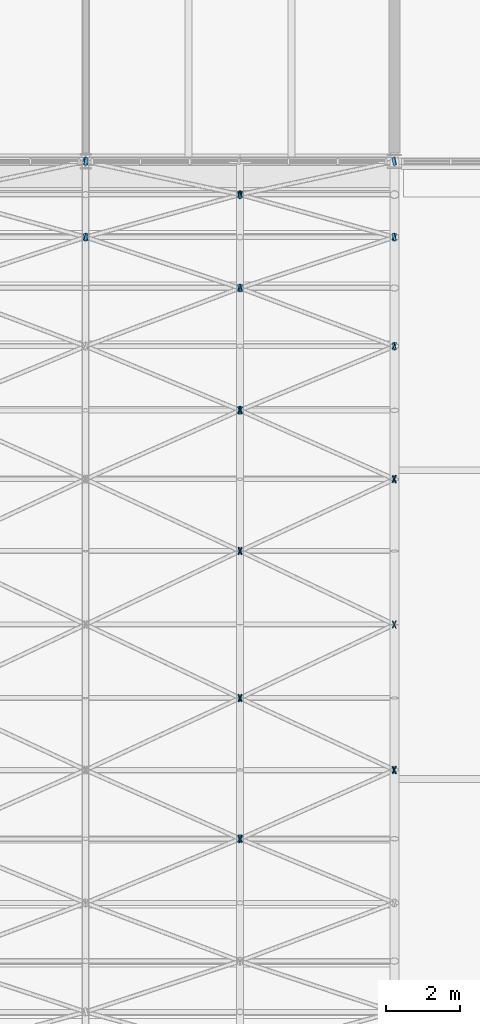
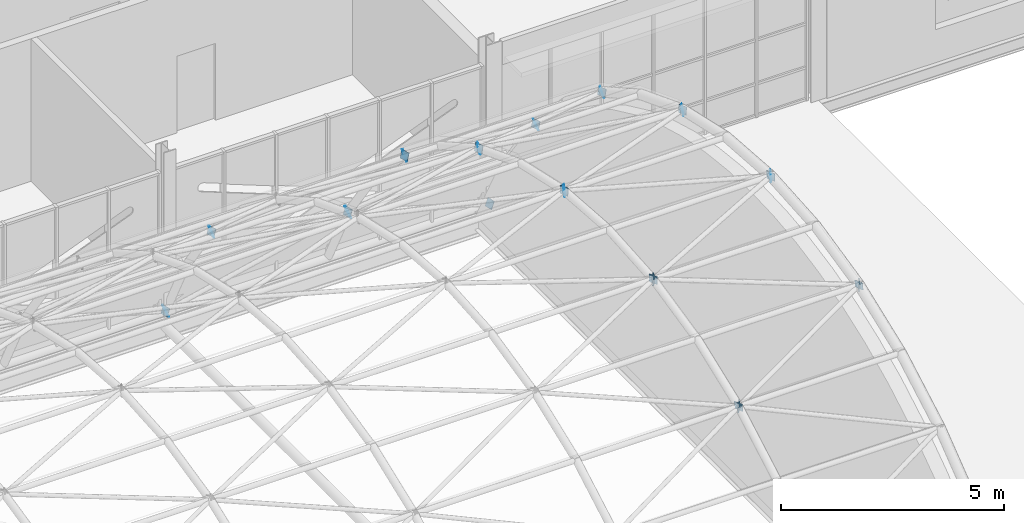
# One storey, part 116 of 121: 41 discrete accessories.
"""IFC4 building model written with IfcOpenShell, lengths in metres."""

from ifc_helpers import new_model, si_unit, direction, frame, origin, origin_2d, place, context, subcontext, project, spatial, rectangle, extrude, material, material_profile, profile_set, type_object, element, save


model = new_model("IFC4")

# Units and contexts
model_context = context("Model", 3, precision=1e-05, world=origin(), true_north=direction((0.0, 1.0)))
body_context = subcontext(model_context, "Body", "Model", "MODEL_VIEW")
ifc_project = project(units=[si_unit("LENGTHUNIT", "METRE"), si_unit("AREAUNIT", "SQUARE_METRE"), si_unit("VOLUMEUNIT", "CUBIC_METRE"), si_unit("PLANEANGLEUNIT", "RADIAN"), si_unit("MASSUNIT", "GRAM", prefix="KILO")], contexts=[model_context])

# Site, building, storey
site_placement = place(None, origin())
site = spatial("IfcSite", under=ifc_project, at=site_placement, CompositionType="ELEMENT")
building_placement = place(site_placement, origin())
building = spatial("IfcBuilding", under=site, at=building_placement, Name="Ardhachandra Cancer Care Centre", CompositionType="ELEMENT")
storey_placement = place(building_placement, frame((0.0, 0.0, 9.0)))
storey = spatial("IfcBuildingStorey", under=building, at=storey_placement, Name="L02", CompositionType="ELEMENT", Elevation=9.0)

# Discrete accessories
ifc_material = material(Name="Steel E250 (IS 2062)", Category="steel")
ifc_material_profile = material_profile(ifc_material, rectangle(XDim=0.21435546875, YDim=0.21435546875, at=origin_2d()), Name="PL 214x214x12")
ifc_profile_set = profile_set([ifc_material_profile], Name="Steel E250 (IS 2062)")
discrete_accessory_type = type_object("IfcDiscreteAccessoryType", Name="Diagonal end plate 214 x 214 x 12", PredefinedType="BRACKET", material=ifc_profile_set)
for number, where, z_axis, x_axis, name in (
    (1, (103.199951171875, 77.738037109375, 3.426025390625), (-0.900777348936, -0.307083187137, 0.307083187137), (0.322673927788, -0.946510188179, 0.0), "Diagonal end plate Hall shell diagonal 13-13 2"),
    (2, (103.199951171875, 77.738037109375, 3.426025390625), (-0.904003571195, 0.246546428508, -0.349274107053), (-0.263117405792, -0.964763821238, 0.0), "Diagonal end plate Hall shell diagonal 14-14 1"),
    (3, (103.199951171875, 79.800048828125, 0.0), (-0.898708107226, -0.204251842551, 0.388078500848), (0.221621103589, -0.975132855791, 0.0), "Diagonal end plate Hall shell diagonal 13-15 2"),
    (4, (107.39990234375, 61.37353515625, 7.093994140625), (-0.905725666552, -0.370524136317, -0.205846742398), (0.378632845721, -0.925546956206, 0.0), "Diagonal end plate Hall shell diagonal 14-04 2"),
    (5, (107.39990234375, 61.37353515625, 7.093994140625), (-0.89814623902, 0.408248290464, 0.163299316186), (-0.413802944301, -0.910366477463, 0.0), "Diagonal end plate Hall shell diagonal 15-05 1"),
    (6, (107.39990234375, 65.20068359375, 8.252685546875), (-0.899458907781, -0.429287205986, -0.081768991616), (0.430729586215, -0.902481037784, 0.0), "Diagonal end plate Hall shell diagonal 14-06 2"),
    (7, (107.39990234375, 65.20068359375, 8.252685546875), (-0.901722650223, 0.430367628516, 0.040987393192), (-0.430729586215, -0.902481037784, 0.0), "Diagonal end plate Hall shell diagonal 15-07 1"),
    (8, (107.39990234375, 69.19921875, 8.252685546875), (-0.901722650223, -0.430367628516, 0.040987393192), (0.430729586215, -0.902481037784, 0.0), "Diagonal end plate Hall shell diagonal 14-08 2"),
    (9, (107.39990234375, 69.19921875, 8.252685546875), (-0.899458907781, 0.429287205986, -0.081768991616), (-0.430729586215, -0.902481037784, 0.0), "Diagonal end plate Hall shell diagonal 15-09 1"),
    (10, (107.39990234375, 73.0263671875, 7.093994140625), (-0.905533836482, -0.391025974844, 0.164642515724), (0.3964360163, -0.918062353536, 0.0), "Diagonal end plate Hall shell diagonal 14-10 2"),
    (11, (107.39990234375, 73.0263671875, 7.093994140625), (-0.898708107226, 0.388078500848, -0.204251842551), (-0.3964360163, -0.918062353536, 0.0), "Diagonal end plate Hall shell diagonal 15-11 1"),
    (12, (107.39990234375, 76.353515625, 4.8759765625), (-0.899271031245, -0.347445625708, 0.265693713777), (0.360399279202, -0.932798134406, 0.0), "Diagonal end plate Hall shell diagonal 14-12 2"),
    (13, (107.39990234375, 76.353515625, 4.8759765625), (-0.900777348936, 0.307083187137, -0.307083187137), (-0.322673927788, -0.946510188179, 0.0), "Diagonal end plate Hall shell diagonal 15-13 1"),
):
    element("IfcDiscreteAccessory", number, at=place(storey_placement, frame(where, z_axis=z_axis, x_axis=x_axis)), inside=storey, type_object=discrete_accessory_type, Name=name, PredefinedType="BRACKET", context=body_context, shape_type="SweptSolid", body=[
        extrude(rectangle(XDim=0.21435546875, YDim=0.21435546875, at=origin_2d()), origin(), (0.0, 0.0, 1.0), 0.011962890625),
    ])
for number, where, z_axis, x_axis, name in (
    (14, (103.199951171875, 77.738037109375, 3.426025390625), (0.904534033733, -0.301511344578, 0.301511344578), (0.316227766017, 0.948683298051, 0.0), "Diagonal end plate Hall shell diagonal 15-13 2"),
    (15, (103.199951171875, 77.738037109375, 3.426025390625), (0.907656609489, 0.24204176253, -0.342892496918), (-0.25766265056, 0.966234939601, 0.0), "Diagonal end plate Hall shell diagonal 14-14 1"),
):
    element("IfcDiscreteAccessory", number, at=place(storey_placement, frame(where, z_axis=z_axis, x_axis=x_axis)), inside=storey, type_object=discrete_accessory_type, Name=name, PredefinedType="BRACKET", context=body_context, shape_type="SweptSolid", body=[
        extrude(rectangle(XDim=0.21435546875, YDim=0.21435546875, at=origin_2d()), origin(), (0.0, 0.0, 1.0), 0.01220703125),
    ])
for number, where, z_axis, x_axis, name in (
    (16, (107.39990234375, 78.89501953125, 1.788818359375), (-0.897398718093, -0.244745104934, 0.367117657402), (0.263117405792, -0.964763821238, 0.0), "Diagonal end plate Hall shell diagonal 14-14 2"),
    (17, (107.39990234375, 78.89501953125, 1.788818359375), (-0.905725666552, 0.205846742398, -0.370524136317), (-0.221621103589, -0.975132855791, 0.0), "Diagonal end plate Hall shell diagonal 15-15 1"),
):
    element("IfcDiscreteAccessory", number, at=place(storey_placement, frame(where, z_axis=z_axis, x_axis=x_axis)), inside=storey, type_object=discrete_accessory_type, Name=name, PredefinedType="BRACKET", context=body_context, shape_type="SweptSolid", body=[
        extrude(rectangle(XDim=0.21435546875, YDim=0.21435546875, at=origin_2d()), origin(), (0.0, 0.0, 1.0), 0.011962890625),
    ])
discrete_accessory_1_placement = place(storey_placement, frame((103.199951171875, 79.800048828125, 0.0), z_axis=(0.902530633635, -0.20056236303, 0.381068489757), x_axis=(0.216930457819, 0.976187060184, 0.0)))
element("IfcDiscreteAccessory", 18, at=discrete_accessory_1_placement, inside=storey, type_object=discrete_accessory_type, Name="Diagonal end plate Hall shell diagonal 15-15 2", PredefinedType="BRACKET", context=body_context, shape_type="SweptSolid", body=[
    extrude(rectangle(XDim=0.21435546875, YDim=0.21435546875, at=origin_2d()), origin(), (0.0, 0.0, 1.0), 0.01220703125),
])
discrete_accessory_2_placement = place(storey_placement, frame((107.39990234375, 61.37353515625, 7.093994140625), z_axis=(0.909322885136, -0.363729154054, -0.202071752252), x_axis=(0.371390676354, 0.928476690885, 0.0)))
element("IfcDiscreteAccessory", 19, at=discrete_accessory_2_placement, inside=storey, type_object=discrete_accessory_type, Name="Diagonal end plate Hall shell diagonal 16-04 2", PredefinedType="BRACKET", context=body_context, shape_type="SweptSolid", body=[
    extrude(rectangle(XDim=0.21435546875, YDim=0.21435546875, at=origin_2d()), origin(), (0.0, 0.0, 1.0), 0.011962890625),
])
for number, where, z_axis, x_axis, name in (
    (20, (107.39990234375, 61.37353515625, 7.093994140625), (0.901986558051, 0.400882914689, 0.160353165876), (-0.406138466053, 0.91381154862, 0.0), "Diagonal end plate Hall shell diagonal 15-05 1"),
    (21, (111.60009765625, 63.244384765625, 7.814208984375), (-0.904716823274, -0.4020963659, -0.140733728065), (0.406138466053, -0.91381154862, 0.0), "Diagonal end plate Hall shell diagonal 15-05 2"),
    (22, (111.60009765625, 63.244384765625, 7.814208984375), (-0.901624387163, 0.420758047343, 0.100180487463), (-0.422885465331, -0.906183139995, 0.0), "Diagonal end plate Hall shell diagonal 16-06 1"),
    (23, (107.39990234375, 65.20068359375, 8.252685546875), (0.903257601642, -0.421520214099, -0.08028956459), (0.422885465331, 0.906183139995, 0.0), "Diagonal end plate Hall shell diagonal 16-06 2"),
    (24, (107.39990234375, 65.20068359375, 8.252685546875), (0.905449091159, 0.422542909207, 0.040242181829), (-0.422885465331, 0.906183139995, 0.0), "Diagonal end plate Hall shell diagonal 15-07 1"),
    (25, (111.60009765625, 67.199951171875, 8.39990234375), (-0.905999460427, -0.422799748199, -0.020133321343), (0.422885465331, -0.906183139995, 0.0), "Diagonal end plate Hall shell diagonal 15-07 2"),
    (26, (111.60009765625, 67.199951171875, 8.39990234375), (-0.905999460427, 0.422799748199, -0.020133321343), (-0.422885465331, -0.906183139995, 0.0), "Diagonal end plate Hall shell diagonal 16-08 1"),
    (27, (107.39990234375, 69.19921875, 8.252685546875), (0.905449091159, -0.422542909207, 0.040242181829), (0.422885465331, 0.906183139995, 0.0), "Diagonal end plate Hall shell diagonal 16-08 2"),
    (28, (107.39990234375, 69.19921875, 8.252685546875), (0.903257601642, 0.421520214099, -0.08028956459), (-0.422885465331, 0.906183139995, 0.0), "Diagonal end plate Hall shell diagonal 15-09 1"),
    (29, (111.60009765625, 71.155517578125, 7.814208984375), (-0.901624387163, -0.420758047343, 0.100180487463), (0.422885465331, -0.906183139995, 0.0), "Diagonal end plate Hall shell diagonal 15-09 2"),
    (30, (111.60009765625, 71.155517578125, 7.814208984375), (-0.904716823274, 0.4020963659, -0.140733728065), (-0.406138466053, -0.91381154862, 0.0), "Diagonal end plate Hall shell diagonal 16-10 1"),
):
    element("IfcDiscreteAccessory", number, at=place(storey_placement, frame(where, z_axis=z_axis, x_axis=x_axis)), inside=storey, type_object=discrete_accessory_type, Name=name, PredefinedType="BRACKET", context=body_context, shape_type="SweptSolid", body=[
        extrude(rectangle(XDim=0.21435546875, YDim=0.21435546875, at=origin_2d()), origin(), (0.0, 0.0, 1.0), 0.01220703125),
    ])
discrete_accessory_3_placement = place(storey_placement, frame((107.39990234375, 73.0263671875, 7.093994140625), z_axis=(0.909137290097, -0.38385796693, 0.161624407128), x_axis=(0.38897203704, 0.921249561411, 0.0)))
element("IfcDiscreteAccessory", 31, at=discrete_accessory_3_placement, inside=storey, type_object=discrete_accessory_type, Name="Diagonal end plate Hall shell diagonal 16-10 2", PredefinedType="BRACKET", context=body_context, shape_type="SweptSolid", body=[
    extrude(rectangle(XDim=0.21435546875, YDim=0.21435546875, at=origin_2d()), origin(), (0.0, 0.0, 1.0), 0.011962890625),
])
for number, where, z_axis, x_axis, name in (
    (32, (107.39990234375, 73.0263671875, 7.093994140625), (0.902530633635, 0.381068489757, -0.20056236303), (-0.38897203704, 0.921249561411, 0.0), "Diagonal end plate Hall shell diagonal 15-11 1"),
    (33, (111.60009765625, 74.771728515625, 6.107421875), (-0.898742639841, -0.3794691146, 0.219692645294), (0.38897203704, -0.921249561411, 0.0), "Diagonal end plate Hall shell diagonal 15-11 2"),
):
    element("IfcDiscreteAccessory", number, at=place(storey_placement, frame(where, z_axis=z_axis, x_axis=x_axis)), inside=storey, type_object=discrete_accessory_type, Name=name, PredefinedType="BRACKET", context=body_context, shape_type="SweptSolid", body=[
        extrude(rectangle(XDim=0.21435546875, YDim=0.21435546875, at=origin_2d()), origin(), (0.0, 0.0, 1.0), 0.01220703125),
    ])
discrete_accessory_4_placement = place(storey_placement, frame((111.60009765625, 74.771728515625, 6.107421875), z_axis=(-0.909137290097, 0.323248814257, -0.262639661584), x_axis=(-0.335009667655, -0.942214690279, 0.0)))
element("IfcDiscreteAccessory", 34, at=discrete_accessory_4_placement, inside=storey, type_object=discrete_accessory_type, Name="Diagonal end plate Hall shell diagonal 16-12 1", PredefinedType="BRACKET", context=body_context, shape_type="SweptSolid", body=[
    extrude(rectangle(XDim=0.21435546875, YDim=0.21435546875, at=origin_2d()), origin(), (0.0, 0.0, 1.0), 0.011962890625),
])
for number, where, z_axis, x_axis, name in (
    (35, (107.39990234375, 76.353515625, 4.8759765625), (0.903075694963, -0.341161929208, 0.260888534101), (0.353400568719, 0.935472093667, 0.0), "Diagonal end plate Hall shell diagonal 16-12 2"),
    (36, (107.39990234375, 76.353515625, 4.8759765625), (0.904534033733, 0.301511344578, -0.301511344578), (-0.316227766017, 0.948683298051, 0.0), "Diagonal end plate Hall shell diagonal 15-13 1"),
    (37, (111.60009765625, 77.738037109375, 3.426025390625), (-0.904534033733, -0.301511344578, 0.301511344578), (0.316227766017, -0.948683298051, 0.0), "Diagonal end plate Hall shell diagonal 15-13 2"),
    (38, (111.60009765625, 77.738037109375, 3.426025390625), (-0.907656609489, 0.24204176253, -0.342892496918), (-0.25766265056, -0.966234939601, 0.0), "Diagonal end plate Hall shell diagonal 16-14 1"),
    (39, (107.39990234375, 78.89501953125, 1.788818359375), (0.901262652189, -0.24033670725, 0.360505060876), (0.25766265056, 0.966234939601, 0.0), "Diagonal end plate Hall shell diagonal 16-14 2"),
):
    element("IfcDiscreteAccessory", number, at=place(storey_placement, frame(where, z_axis=z_axis, x_axis=x_axis)), inside=storey, type_object=discrete_accessory_type, Name=name, PredefinedType="BRACKET", context=body_context, shape_type="SweptSolid", body=[
        extrude(rectangle(XDim=0.21435546875, YDim=0.21435546875, at=origin_2d()), origin(), (0.0, 0.0, 1.0), 0.01220703125),
    ])
discrete_accessory_5_placement = place(storey_placement, frame((107.39990234375, 78.89501953125, 1.788818359375), z_axis=(0.909322885136, 0.202071752252, -0.363729154054), x_axis=(-0.216930457819, 0.976187060184, 0.0)))
element("IfcDiscreteAccessory", 40, at=discrete_accessory_5_placement, inside=storey, type_object=discrete_accessory_type, Name="Diagonal end plate Hall shell diagonal 15-15 1", PredefinedType="BRACKET", context=body_context, shape_type="SweptSolid", body=[
    extrude(rectangle(XDim=0.21435546875, YDim=0.21435546875, at=origin_2d()), origin(), (0.0, 0.0, 1.0), 0.011962890625),
])
discrete_accessory_6_placement = place(storey_placement, frame((111.60009765625, 79.800048828125, 0.0), z_axis=(-0.902530633635, -0.20056236303, 0.381068489757), x_axis=(0.216930457819, -0.976187060184, 0.0)))
element("IfcDiscreteAccessory", 41, at=discrete_accessory_6_placement, inside=storey, type_object=discrete_accessory_type, Name="Diagonal end plate Hall shell diagonal 15-15 2", PredefinedType="BRACKET", context=body_context, shape_type="SweptSolid", body=[
    extrude(rectangle(XDim=0.21435546875, YDim=0.21435546875, at=origin_2d()), origin(), (0.0, 0.0, 1.0), 0.01220703125),
])

save(model, "model.ifc")
